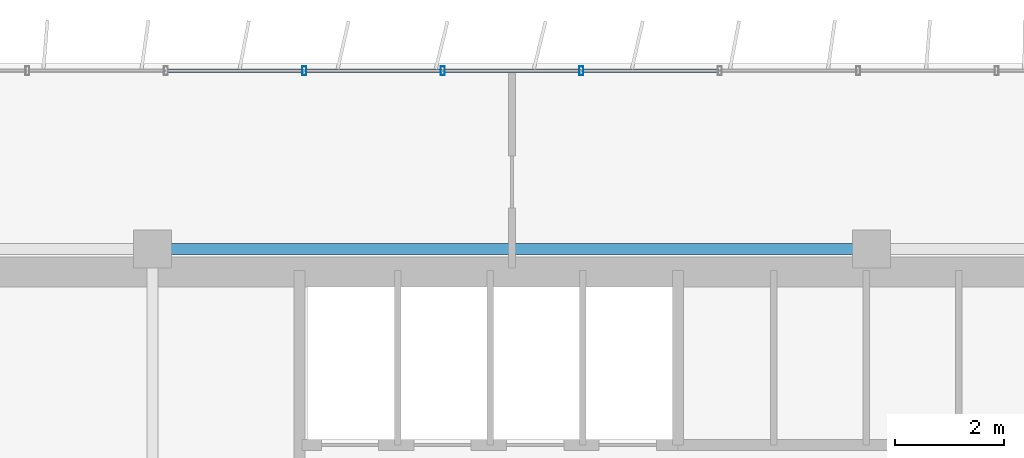
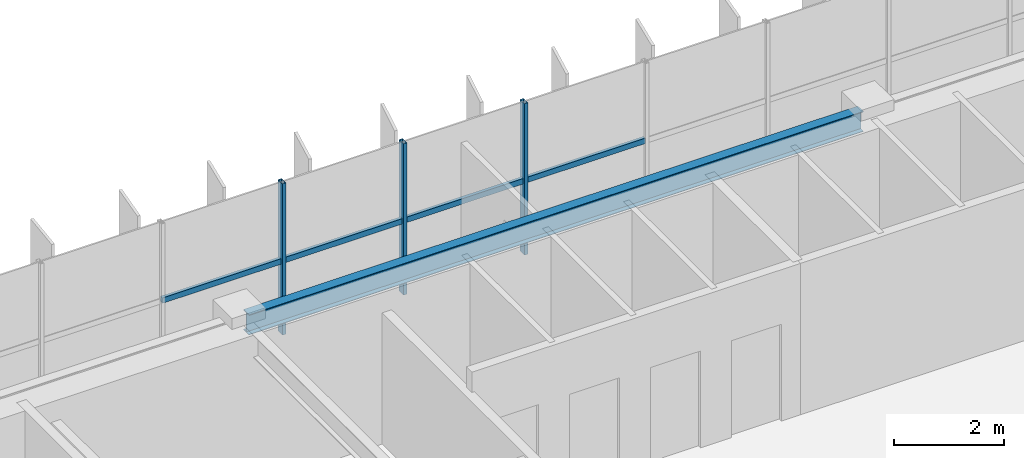
# One storey, part 9 of 23: 7 members, 1 beam, 1 element without a shape of its own.
"""IFC4 building model written with IfcOpenShell, lengths in metres."""

from ifc_helpers import new_model, si_unit, direction, frame, origin, origin_2d, place, context, subcontext, project, spatial, hollow_rectangle, i_section, extrude, source, transform, mapped, material, material_profile, profile_set, type_object, element, aggregate, save


model = new_model("IFC4")

# Units and contexts
model_context = context("Model", 3, precision=1e-05, world=origin(), true_north=direction((0.0, 1.0)))
body_context = subcontext(model_context, "Body", "Model", "MODEL_VIEW")
ifc_project = project(units=[si_unit("LENGTHUNIT", "METRE"), si_unit("AREAUNIT", "SQUARE_METRE"), si_unit("VOLUMEUNIT", "CUBIC_METRE"), si_unit("PLANEANGLEUNIT", "RADIAN"), si_unit("MASSUNIT", "GRAM", prefix="KILO")], contexts=[model_context])

# Site, building, storey
site_placement = place(None, origin())
site = spatial("IfcSite", under=ifc_project, at=site_placement, CompositionType="ELEMENT")
building_placement = place(site_placement, origin())
building = spatial("IfcBuilding", under=site, at=building_placement, Name="Trelvane Seafront Commons", CompositionType="ELEMENT")
storey_placement = place(building_placement, frame((0.0, 0.0, 212.10009765625)))
storey = spatial("IfcBuildingStorey", under=building, at=storey_placement, Name="L55", CompositionType="ELEMENT", Elevation=212.10009765625)

# Beam
ifc_material_1 = material(Name="Steel SM355 (S355)", Category="steel")
ifc_material_profile_1 = material_profile(ifc_material_1, i_section(OverallWidth=0.199951171875, OverallDepth=0.449951171875, WebThickness=0.009033203125, FlangeThickness=0.013916015625, at=origin_2d()), Name="H-450x200x9x14")
ifc_profile_set_1 = profile_set([ifc_material_profile_1], Name="Steel SM355 (S355)")
beam_type = type_object("IfcBeamType", Name="STR-SPD-H450", PredefinedType="SPANDREL", material=ifc_profile_set_1)
shared_shape_1 = source(origin(), body_context, "Body", "SweptSolid", [
    extrude(i_section(OverallWidth=0.199951171875, OverallDepth=0.449951171875, WebThickness=0.009033203125, FlangeThickness=0.013916015625, at=origin_2d()), origin(), (0.0, 0.0, 1.0), 12.89990234375),
])
beam_placement = place(storey_placement, frame((30.75, 45.10009765625, 3.135009765625), z_axis=(1.0, 0.0, 0.0), x_axis=(0.0, 1.0, 0.0)))
element("IfcBeam", 1, at=beam_placement, inside=storey, type_object=beam_type, Name="L55 Primary Girder G-25", PredefinedType="SPANDREL", context=body_context, shape_type="MappedRepresentation", body=[
    mapped(shared_shape_1, transform((0.0, 0.0, 0.0), x_axis=(1.0, 0.0, 0.0), y_axis=(0.0, 1.0, 0.0), z_axis=(0.0, 0.0, 1.0), scale=1.0)),
])

# Curtain wall, members
ifc_material_2 = material(Name="Anodised pale-silver aluminium", Category="aluminium")
curtain_wall_type = type_object("IfcCurtainWallType", Name="ARCH-CW5-UPTOWER", PredefinedType="NOTDEFINED", material=ifc_material_2)
curtain_wall_placement = place(storey_placement, origin())
curtain_wall = element("IfcCurtainWall", 2, at=curtain_wall_placement, inside=storey, type_object=curtain_wall_type, Name="CW-L55-0098", PredefinedType="NOTDEFINED")
ifc_material_profile_2 = material_profile(ifc_material_2, hollow_rectangle(XDim=0.070068359375, YDim=0.1201171875, WallThickness=0.00390625, at=origin_2d()), Name="TRAN-70x120x4")
ifc_profile_set_2 = profile_set([ifc_material_profile_2], Name="Anodised pale-silver aluminium")
member_type_1 = type_object("IfcMemberType", Name="ARCH-CW-TRAN-120", PredefinedType="USERDEFINED", material=ifc_profile_set_2)
shared_shape_2 = source(origin(), body_context, "Body", "SweptSolid", [
    extrude(hollow_rectangle(XDim=0.070068359375, YDim=0.1201171875, WallThickness=0.00390625, at=origin_2d()), origin(), (0.0, 0.0, 1.0), 2.51708984375),
])
member_1_placement = place(storey_placement, frame((30.859130859375, 48.3701171875, 1.61279296875), z_axis=(1.0, 0.0, 0.0), x_axis=(0.0, 1.0, 0.0)))
member_1 = element("IfcMember", 3, at=member_1_placement, type_object=member_type_1, Name="CW-L55-0098-T06", ObjectType="TRANSOM", PredefinedType="USERDEFINED", context=body_context, shape_type="MappedRepresentation", body=[
    mapped(shared_shape_2, transform((0.0, 0.0, 0.0), x_axis=(1.0, 0.0, 0.0), y_axis=(0.0, 1.0, 0.0), z_axis=(0.0, 0.0, 1.0), scale=1.0)),
])
member_2_placement = place(storey_placement, frame((35.94140625, 48.3701171875, 1.61279296875), z_axis=(1.0, 0.0, 0.0), x_axis=(0.0, 1.0, 0.0)))
member_2 = element("IfcMember", 4, at=member_2_placement, type_object=member_type_1, Name="CW-L55-0098-T08", ObjectType="TRANSOM", PredefinedType="USERDEFINED", context=body_context, shape_type="MappedRepresentation", body=[
    mapped(shared_shape_2, transform((0.0, 0.0, 0.0), x_axis=(1.0, 0.0, 0.0), y_axis=(0.0, 1.0, 0.0), z_axis=(0.0, 0.0, 1.0), scale=1.0)),
])
member_3_placement = place(storey_placement, frame((38.482666015625, 48.3701171875, 1.61279296875), z_axis=(1.0, 0.0, 0.0), x_axis=(0.0, 1.0, 0.0)))
member_3 = element("IfcMember", 5, at=member_3_placement, type_object=member_type_1, Name="CW-L55-0098-T09", ObjectType="TRANSOM", PredefinedType="USERDEFINED", context=body_context, shape_type="MappedRepresentation", body=[
    mapped(shared_shape_2, transform((0.0, 0.0, 0.0), x_axis=(1.0, 0.0, 0.0), y_axis=(0.0, 1.0, 0.0), z_axis=(0.0, 0.0, 1.0), scale=1.0)),
])
shared_shape_3 = source(origin(), body_context, "Body", "SweptSolid", [
    extrude(hollow_rectangle(XDim=0.070068359375, YDim=0.1201171875, WallThickness=0.00390625, at=origin_2d()), origin(), (0.0, 0.0, 1.0), 2.517333984375),
])
member_4_placement = place(storey_placement, frame((33.400146484375, 48.3701171875, 1.61279296875), z_axis=(1.0, 0.0, 0.0), x_axis=(0.0, 1.0, 0.0)))
member_4 = element("IfcMember", 6, at=member_4_placement, type_object=member_type_1, Name="CW-L55-0098-T07", ObjectType="TRANSOM", PredefinedType="USERDEFINED", context=body_context, shape_type="MappedRepresentation", body=[
    mapped(shared_shape_3, transform((0.0, 0.0, 0.0), x_axis=(1.0, 0.0, 0.0), y_axis=(0.0, 1.0, 0.0), z_axis=(0.0, 0.0, 1.0), scale=1.0)),
])
ifc_material_profile_3 = material_profile(ifc_material_2, hollow_rectangle(XDim=0.074951171875, YDim=0.159912109375, WallThickness=0.00390625, at=origin_2d()), Name="MULL-75x160x4")
ifc_profile_set_3 = profile_set([ifc_material_profile_3], Name="Anodised pale-silver aluminium")
member_type_2 = type_object("IfcMemberType", Name="ARCH-CW-MULL-160", PredefinedType="MULLION", material=ifc_profile_set_3)
shared_shape_4 = source(origin(), body_context, "Body", "SweptSolid", [
    extrude(hollow_rectangle(XDim=0.074951171875, YDim=0.159912109375, WallThickness=0.00390625, at=origin_2d()), origin(), (0.0, 0.0, 1.0), 3.35986328125),
])
member_5_placement = place(storey_placement, frame((33.38818359375, 48.3701171875, 0.0), z_axis=(0.0, 0.0, 1.0), x_axis=(1.0, 0.0, 0.0)))
member_5 = element("IfcMember", 7, at=member_5_placement, type_object=member_type_2, Name="CW-L55-0098-M07", PredefinedType="MULLION", context=body_context, shape_type="MappedRepresentation", body=[
    mapped(shared_shape_4, transform((0.0, 0.0, 0.0), x_axis=(1.0, 0.0, 0.0), y_axis=(0.0, 1.0, 0.0), z_axis=(0.0, 0.0, 1.0), scale=1.0)),
])
member_6_placement = place(storey_placement, frame((35.929443359375, 48.3701171875, 0.0), z_axis=(0.0, 0.0, 1.0), x_axis=(1.0, 0.0, 0.0)))
member_6 = element("IfcMember", 8, at=member_6_placement, type_object=member_type_2, Name="CW-L55-0098-M08", PredefinedType="MULLION", context=body_context, shape_type="MappedRepresentation", body=[
    mapped(shared_shape_4, transform((0.0, 0.0, 0.0), x_axis=(1.0, 0.0, 0.0), y_axis=(0.0, 1.0, 0.0), z_axis=(0.0, 0.0, 1.0), scale=1.0)),
])
member_7_placement = place(storey_placement, frame((38.470703125, 48.3701171875, 0.0), z_axis=(0.0, 0.0, 1.0), x_axis=(1.0, 0.0, 0.0)))
member_7 = element("IfcMember", 9, at=member_7_placement, type_object=member_type_2, Name="CW-L55-0098-M09", PredefinedType="MULLION", context=body_context, shape_type="MappedRepresentation", body=[
    mapped(shared_shape_4, transform((0.0, 0.0, 0.0), x_axis=(1.0, 0.0, 0.0), y_axis=(0.0, 1.0, 0.0), z_axis=(0.0, 0.0, 1.0), scale=1.0)),
])
aggregate(curtain_wall, [member_5, member_6, member_7, member_1, member_4, member_2, member_3])

save(model, "model.ifc")
